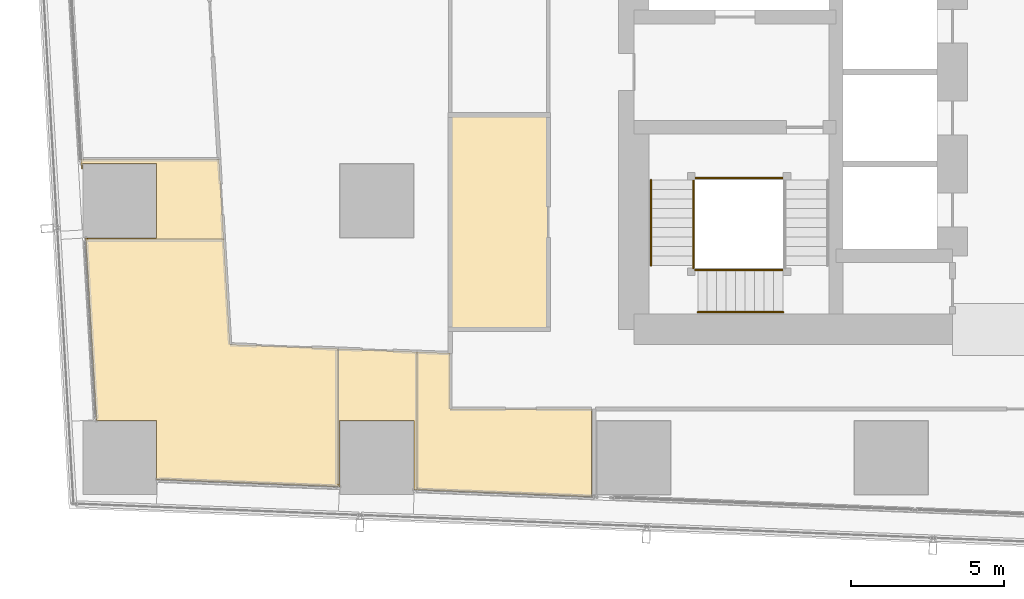
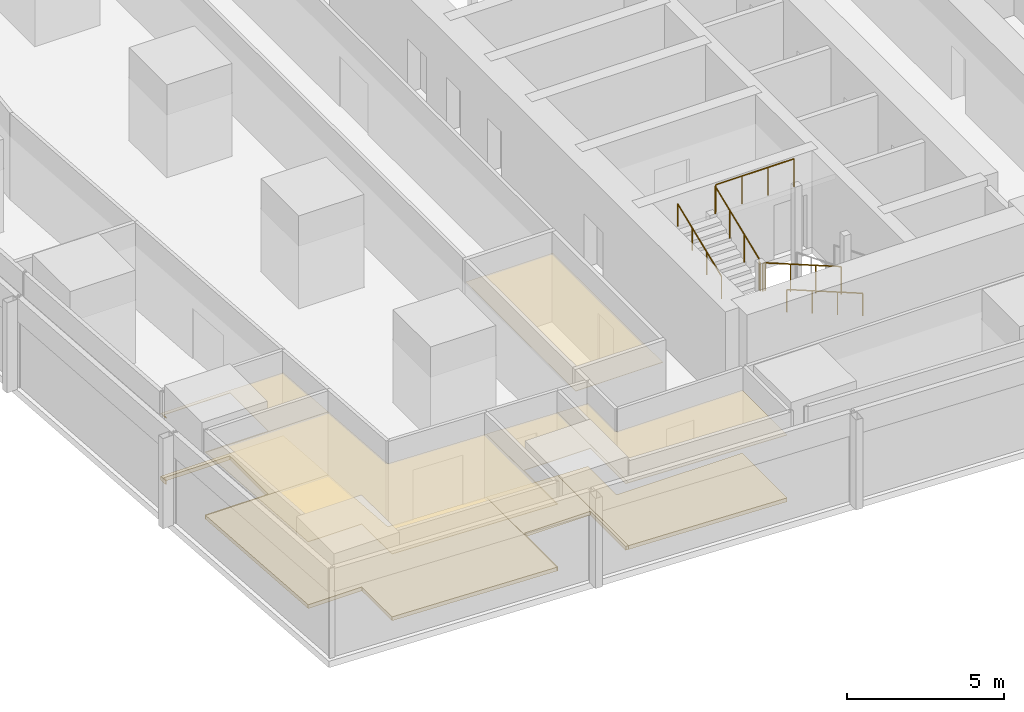
# One storey, part 28 of 37: 9 coverings, 7 railings.
"""IFC4 building model written with IfcOpenShell, lengths in metres."""

from ifc_helpers import new_model, si_unit, direction, frame, origin, origin_2d, place, context, subcontext, project, spatial, polyline, circle, outline, extrude, material, layer, layer_set, type_object, element, save


model = new_model("IFC4")

# Units and contexts
model_context = context("Model", 3, precision=1e-05, world=origin(), true_north=direction((0.0, 1.0)))
body_context = subcontext(model_context, "Body", "Model", "MODEL_VIEW")
ifc_project = project(units=[si_unit("LENGTHUNIT", "METRE"), si_unit("AREAUNIT", "SQUARE_METRE"), si_unit("VOLUMEUNIT", "CUBIC_METRE"), si_unit("PLANEANGLEUNIT", "RADIAN"), si_unit("MASSUNIT", "GRAM", prefix="KILO")], contexts=[model_context])

# Site, building, storey
site_placement = place(None, origin())
site = spatial("IfcSite", under=ifc_project, at=site_placement, CompositionType="ELEMENT")
building_placement = place(site_placement, origin())
building = spatial("IfcBuilding", under=site, at=building_placement, Name="Rekha Terrace Tower", CompositionType="ELEMENT")
storey_placement = place(building_placement, frame((0.0, 0.0, 232.699951171875)))
storey = spatial("IfcBuildingStorey", under=building, at=storey_placement, Name="L59", CompositionType="ELEMENT", Elevation=232.699951171875)

# Coverings
ifc_material_1 = material(Name="Mineral fibre tile in exposed grid", Category="finish")
ifc_layer_1 = layer(ifc_material_1, 0.02001953125)
ifc_layer_set_1 = layer_set([ifc_layer_1], Name="Mineral fibre tile in exposed grid")
covering_type_1 = type_object("IfcCoveringType", Name="CL1 600x1200 office grid ceiling", PredefinedType="CEILING", material=ifc_layer_set_1)
covering_1_placement = place(storey_placement, frame((0.0, 0.0, 2.580078125)))
element("IfcCovering", 1, at=covering_1_placement, inside=storey, type_object=covering_type_1, Name="Ceiling L59-11", PredefinedType="CEILING", context=body_context, shape_type="SweptSolid", body=[
    extrude(outline(polyline([(9.614990234375, 23.985107421875), (7.29296875, 23.985107421875), (7.294921875, 23.943115234375), (11.802001953125, 23.943115234375), (11.64892578125, 26.5458984375), (7.14111328125, 26.5458984375), (7.158935546875, 26.23388671875), (7.18505859375, 26.235107421875), (7.18505859375, 26.4150390625), (9.614990234375, 26.4150390625), (9.614990234375, 23.985107421875)])), origin(), (0.0, 0.0, 1.0), 0.02001953125),
])
covering_2_placement = place(storey_placement, frame((0.0, 0.0, 2.580078125)))
element("IfcCovering", 2, at=covering_2_placement, inside=storey, type_object=covering_type_1, Name="Ceiling L59-12", PredefinedType="CEILING", context=body_context, shape_type="SweptSolid", body=[
    extrude(outline(polyline([(9.614990234375, 16.096923828125), (15.54296875, 15.860107421875), (15.54296875, 20.364013671875), (12.0048828125, 20.5048828125), (11.802001953125, 23.94189453125), (7.294921875, 23.94189453125), (7.64404296875, 18.014892578125), (9.614990234375, 18.014892578125), (9.614990234375, 16.096923828125)])), origin(), (0.0, 0.0, 1.0), 0.02001953125),
])
covering_3_placement = place(storey_placement, frame((0.0, 0.0, 2.580078125)))
element("IfcCovering", 3, at=covering_3_placement, inside=storey, type_object=covering_type_1, Name="Ceiling L59-13", PredefinedType="CEILING", context=body_context, shape_type="SweptSolid", body=[
    extrude(outline(polyline([(18.014892578125, 18.014892578125), (18.014892578125, 15.761962890625), (18.10888671875, 15.758056640625), (18.10888671875, 20.260986328125), (15.5439453125, 20.364013671875), (15.5439453125, 15.860107421875), (15.5849609375, 15.85791015625), (15.5849609375, 18.014892578125), (18.014892578125, 18.014892578125)])), origin(), (0.0, 0.0, 1.0), 0.02001953125),
])
covering_4_placement = place(storey_placement, frame((0.0, 0.0, 2.580078125)))
element("IfcCovering", 4, at=covering_4_placement, inside=storey, type_object=covering_type_1, Name="Ceiling L59-14", PredefinedType="CEILING", context=body_context, shape_type="SweptSolid", body=[
    extrude(outline(polyline([(23.81689453125, 15.530029296875), (23.81689453125, 18.39990234375), (19.199951171875, 18.39990234375), (19.199951171875, 20.218017578125), (18.110107421875, 20.260986328125), (18.110107421875, 15.758056640625), (23.81689453125, 15.530029296875)])), origin(), (0.0, 0.0, 1.0), 0.02001953125),
])
ifc_material_2 = material(Name="Fibre cement board", Category="finish")
ifc_layer_2 = layer(ifc_material_2, 0.014892578125)
ifc_layer_set_2 = layer_set([ifc_layer_2], Name="Fibre cement board")
covering_type_2 = type_object("IfcCoveringType", Name="CL2 moisture-resistant board ceiling", PredefinedType="CEILING", material=ifc_layer_set_2)
covering_5_placement = place(storey_placement, frame((0.0, 0.0, 2.5849609375)))
element("IfcCovering", 5, at=covering_5_placement, inside=storey, type_object=covering_type_2, Name="Ceiling L59-WCM", PredefinedType="CEILING", context=body_context, shape_type="SweptSolid", body=[
    extrude(outline(polyline([(22.39990234375, 28.0), (19.199951171875, 28.0), (19.199951171875, 21.0), (22.39990234375, 21.0), (22.39990234375, 28.0)])), origin(), (0.0, 0.0, 1.0), 0.01513671875),
])

# Railings
ifc_material_3 = material(Name="Stainless steel balustrade", Category="steel")
railing_type_1 = type_object("IfcRailingType", Name="GR1 1100 stair guard", PredefinedType="GUARDRAIL", material=ifc_material_3)
railing_1_placement = place(storey_placement, frame((30.074951171875, 22.93994140625, 1.375)))
element("IfcRailing", 6, at=railing_1_placement, inside=storey, type_object=railing_type_1, Name="Guard ST1 L59 flight 2", PredefinedType="GUARDRAIL", context=body_context, shape_type="SweptSolid", body=[
    extrude(circle(Radius=0.02392578125, at=origin_2d()), frame((0.0, 0.0, 1.076171875), z_axis=(-0.927443287984, 0.0, 0.373963831907), x_axis=(0.0, -1.0, 0.0)), (0.0, 0.0, 1.0), 3.00830078125),
    extrude(circle(Radius=0.02099609375, at=origin_2d()), origin(), (0.0, 0.0, 1.0), 1.052001953125),
    extrude(circle(Radius=0.02099609375, at=origin_2d()), frame((-0.929931640625, 0.0, 0.375)), (0.0, 0.0, 1.0), 1.052001953125),
    extrude(circle(Radius=0.02099609375, at=origin_2d()), frame((-1.860107421875, 0.0, 0.75)), (0.0, 0.0, 1.0), 1.052001953125),
    extrude(circle(Radius=0.02099609375, at=origin_2d()), frame((-2.7900390625, 0.0, 1.125)), (0.0, 0.0, 1.0), 1.052001953125),
])
railing_2_placement = place(storey_placement, frame((27.139892578125, 23.0849609375, 2.625)))
element("IfcRailing", 7, at=railing_2_placement, inside=storey, type_object=railing_type_1, Name="Guard ST1 L59 flight 3", PredefinedType="GUARDRAIL", context=body_context, shape_type="SweptSolid", body=[
    extrude(circle(Radius=0.02392578125, at=origin_2d()), frame((0.0, 0.0, 1.076171875), z_axis=(0.0, 0.927443287984, 0.373963831907), x_axis=(-1.0, 0.0, 0.0)), (0.0, 0.0, 1.0), 3.00830078125),
    extrude(circle(Radius=0.02099609375, at=origin_2d()), origin(), (0.0, 0.0, 1.0), 1.052001953125),
    extrude(circle(Radius=0.02099609375, at=origin_2d()), frame((0.0, 0.929931640625, 0.375)), (0.0, 0.0, 1.0), 1.052001953125),
    extrude(circle(Radius=0.02099609375, at=origin_2d()), frame((0.0, 1.860107421875, 0.75)), (0.0, 0.0, 1.0), 1.052001953125),
    extrude(circle(Radius=0.02099609375, at=origin_2d()), frame((0.0, 2.7900390625, 1.125)), (0.0, 0.0, 1.0), 1.052001953125),
])
railing_3_placement = place(storey_placement, frame((27.284912109375, 22.93994140625, 2.5)))
element("IfcRailing", 8, at=railing_3_placement, inside=storey, type_object=railing_type_1, Name="Guard ST1 L59 landing 2", PredefinedType="GUARDRAIL", context=body_context, shape_type="SweptSolid", body=[
    extrude(circle(Radius=0.02392578125, at=origin_2d()), frame((0.0, 0.0, 1.076171875), z_axis=(-1.0, 0.0, 0.0), x_axis=(0.0, -1.0, 0.0)), (0.0, 0.0, 1.0), 0.0849609375),
    extrude(circle(Radius=0.02099609375, at=origin_2d()), origin(), (0.0, 0.0, 1.0), 1.052001953125),
    extrude(circle(Radius=0.02099609375, at=origin_2d()), frame((-0.0849609375, 0.0, 0.0)), (0.0, 0.0, 1.0), 1.052001953125),
])
railing_4_placement = place(storey_placement, frame((27.139892578125, 23.0849609375, 2.5)))
element("IfcRailing", 9, at=railing_4_placement, inside=storey, type_object=railing_type_1, Name="Guard ST1 L59 landing 3", PredefinedType="GUARDRAIL", context=body_context, shape_type="SweptSolid", body=[
    extrude(circle(Radius=0.02392578125, at=origin_2d()), frame((0.0, 0.0, 1.076171875), z_axis=(0.0, -1.0, 0.0), x_axis=(1.0, 0.0, 0.0)), (0.0, 0.0, 1.0), 0.0849609375),
    extrude(circle(Radius=0.02099609375, at=origin_2d()), origin(), (0.0, 0.0, 1.0), 1.052001953125),
    extrude(circle(Radius=0.02099609375, at=origin_2d()), frame((0.0, -0.0849609375, 0.0)), (0.0, 0.0, 1.0), 1.052001953125),
])
railing_5_placement = place(storey_placement, frame((30.074951171875, 25.93505859375, 3.75)))
element("IfcRailing", 10, at=railing_5_placement, inside=storey, type_object=railing_type_1, Name="Guard ST1 L59 landing 4", PredefinedType="GUARDRAIL", context=body_context, shape_type="SweptSolid", body=[
    extrude(circle(Radius=0.02392578125, at=origin_2d()), frame((0.0, 0.0, 1.076171875), z_axis=(-1.0, 0.0, 0.0), x_axis=(0.0, -1.0, 0.0)), (0.0, 0.0, 1.0), 2.875),
    extrude(circle(Radius=0.02099609375, at=origin_2d()), origin(), (0.0, 0.0, 1.0), 1.052001953125),
    extrude(circle(Radius=0.02099609375, at=origin_2d()), frame((-0.958251953125, 0.0, 0.0)), (0.0, 0.0, 1.0), 1.052001953125),
    extrude(circle(Radius=0.02099609375, at=origin_2d()), frame((-1.916748046875, 0.0, 0.0)), (0.0, 0.0, 1.0), 1.052001953125),
    extrude(circle(Radius=0.02099609375, at=origin_2d()), frame((-2.875, 0.0, 0.0)), (0.0, 0.0, 1.0), 1.052001953125),
])
ifc_material_4 = material(Name="Stainless steel tube", Category="steel")
railing_type_2 = type_object("IfcRailingType", Name="HR1 900 stair handrail", PredefinedType="HANDRAIL", material=ifc_material_4)
railing_6_placement = place(storey_placement, frame((30.074951171875, 21.56005859375, 1.375)))
element("IfcRailing", 11, at=railing_6_placement, inside=storey, type_object=railing_type_2, Name="Handrail ST1 L59 flight 2", PredefinedType="HANDRAIL", context=body_context, shape_type="SweptSolid", body=[
    extrude(circle(Radius=0.02392578125, at=origin_2d()), frame((0.0, 0.0, 0.8759765625), z_axis=(-0.927443287984, 0.0, 0.373963831907), x_axis=(0.0, -1.0, 0.0)), (0.0, 0.0, 1.0), 3.00830078125),
    extrude(circle(Radius=0.02099609375, at=origin_2d()), origin(), (0.0, 0.0, 1.0), 0.851806640625),
    extrude(circle(Radius=0.02099609375, at=origin_2d()), frame((-0.929931640625, 0.0, 0.375)), (0.0, 0.0, 1.0), 0.851806640625),
    extrude(circle(Radius=0.02099609375, at=origin_2d()), frame((-1.860107421875, 0.0, 0.75)), (0.0, 0.0, 1.0), 0.851806640625),
    extrude(circle(Radius=0.02099609375, at=origin_2d()), frame((-2.7900390625, 0.0, 1.125)), (0.0, 0.0, 1.0), 0.851806640625),
])
railing_7_placement = place(storey_placement, frame((25.760009765625, 23.0849609375, 2.625)))
element("IfcRailing", 12, at=railing_7_placement, inside=storey, type_object=railing_type_2, Name="Handrail ST1 L59 flight 3", PredefinedType="HANDRAIL", context=body_context, shape_type="SweptSolid", body=[
    extrude(circle(Radius=0.02392578125, at=origin_2d()), frame((0.0, 0.0, 0.8759765625), z_axis=(0.0, 0.927443287984, 0.373963831907), x_axis=(-1.0, 0.0, 0.0)), (0.0, 0.0, 1.0), 3.00830078125),
    extrude(circle(Radius=0.02099609375, at=origin_2d()), origin(), (0.0, 0.0, 1.0), 0.851806640625),
    extrude(circle(Radius=0.02099609375, at=origin_2d()), frame((0.0, 0.929931640625, 0.375)), (0.0, 0.0, 1.0), 0.851806640625),
    extrude(circle(Radius=0.02099609375, at=origin_2d()), frame((0.0, 1.860107421875, 0.75)), (0.0, 0.0, 1.0), 0.851806640625),
    extrude(circle(Radius=0.02099609375, at=origin_2d()), frame((0.0, 2.7900390625, 1.125)), (0.0, 0.0, 1.0), 0.851806640625),
])

# Coverings
ifc_material_5 = material(Name="Calcium sulphate panels on steel pedestals", Category="steel")
ifc_layer_3 = layer(ifc_material_5, 0.14990234375)
ifc_layer_set_3 = layer_set([ifc_layer_3], Name="Calcium sulphate panels on steel pedestals")
covering_type_3 = type_object("IfcCoveringType", Name="RF1 150 raised access floor", PredefinedType="FLOORING", material=ifc_layer_set_3)
covering_6_placement = place(storey_placement, origin())
element("IfcCovering", 13, at=covering_6_placement, inside=storey, type_object=covering_type_3, Name="Raised floor L59-11", PredefinedType="FLOORING", context=body_context, shape_type="SweptSolid", body=[
    extrude(outline(polyline([(9.614990234375, 23.985107421875), (7.29296875, 23.985107421875), (7.294921875, 23.943115234375), (11.802001953125, 23.943115234375), (11.64892578125, 26.5458984375), (7.14111328125, 26.5458984375), (7.158935546875, 26.23388671875), (7.18505859375, 26.235107421875), (7.18505859375, 26.4150390625), (9.614990234375, 26.4150390625), (9.614990234375, 23.985107421875)])), origin(), (0.0, 0.0, 1.0), 0.150146484375),
])
covering_7_placement = place(storey_placement, origin())
element("IfcCovering", 14, at=covering_7_placement, inside=storey, type_object=covering_type_3, Name="Raised floor L59-12", PredefinedType="FLOORING", context=body_context, shape_type="SweptSolid", body=[
    extrude(outline(polyline([(9.614990234375, 16.096923828125), (15.54296875, 15.860107421875), (15.54296875, 20.364013671875), (12.0048828125, 20.5048828125), (11.802001953125, 23.94189453125), (7.294921875, 23.94189453125), (7.64404296875, 18.014892578125), (9.614990234375, 18.014892578125), (9.614990234375, 16.096923828125)])), origin(), (0.0, 0.0, 1.0), 0.150146484375),
])
covering_8_placement = place(storey_placement, origin())
element("IfcCovering", 15, at=covering_8_placement, inside=storey, type_object=covering_type_3, Name="Raised floor L59-13", PredefinedType="FLOORING", context=body_context, shape_type="SweptSolid", body=[
    extrude(outline(polyline([(18.014892578125, 18.014892578125), (18.014892578125, 15.761962890625), (18.10888671875, 15.758056640625), (18.10888671875, 20.260986328125), (15.5439453125, 20.364013671875), (15.5439453125, 15.860107421875), (15.5849609375, 15.85791015625), (15.5849609375, 18.014892578125), (18.014892578125, 18.014892578125)])), origin(), (0.0, 0.0, 1.0), 0.150146484375),
])
covering_9_placement = place(storey_placement, origin())
element("IfcCovering", 16, at=covering_9_placement, inside=storey, type_object=covering_type_3, Name="Raised floor L59-14", PredefinedType="FLOORING", context=body_context, shape_type="SweptSolid", body=[
    extrude(outline(polyline([(23.81689453125, 15.530029296875), (23.81689453125, 18.39990234375), (19.199951171875, 18.39990234375), (19.199951171875, 20.218017578125), (18.110107421875, 20.260986328125), (18.110107421875, 15.758056640625), (23.81689453125, 15.530029296875)])), origin(), (0.0, 0.0, 1.0), 0.150146484375),
])

save(model, "model.ifc")
